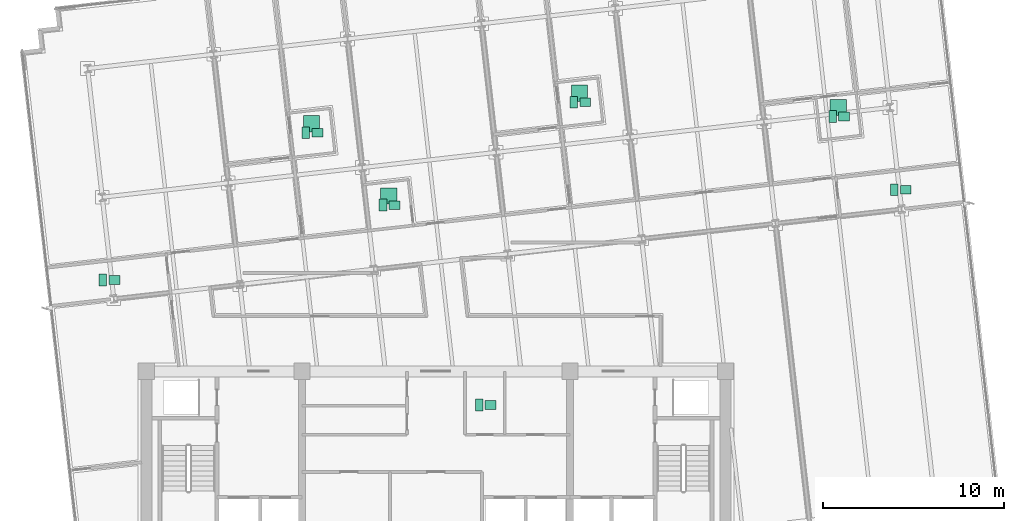
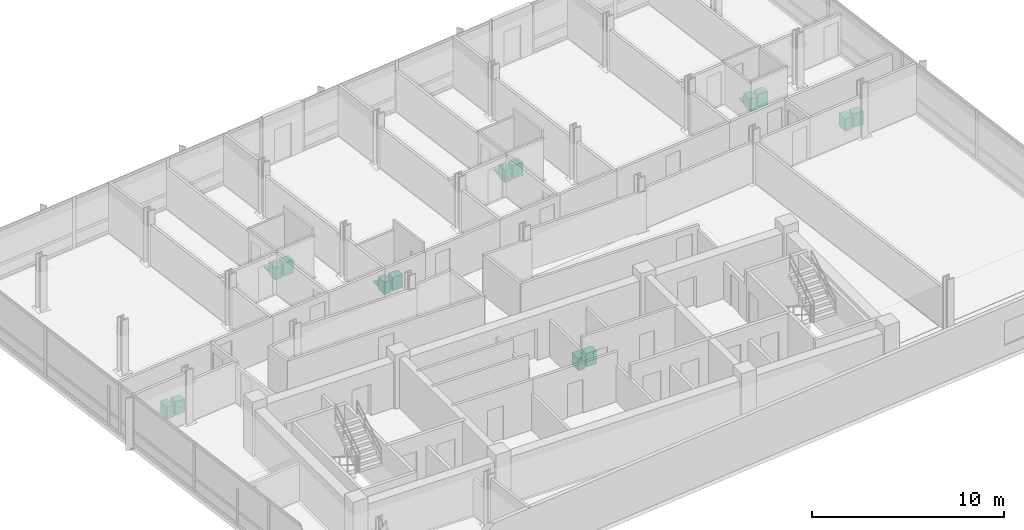
# One storey, part 16 of 16: 18 sanitary terminals.
"""IFC4 building model written with IfcOpenShell, lengths in metres."""

import ifcopenshell
import ifcopenshell.guid

model = None  # the IFC model being written
_history = None  # IfcOwnerHistory: only IFC2X3 demands one
_inside = {}  # id of a spatial element -> (the spatial element, [elements in it])
_under = {}  # id of a project, library or spatial element -> (it, [spatial elements below it])
_declared = {}  # id of a project -> (the project, [libraries it declares])
_typed = {}  # id of a type object -> (the type object, [elements of that type])
_made_of = {}  # id of a material, layer set ... -> (it, [elements and type objects made of it])


def new_model(schema):
    """Start an empty IFC model of exactly this schema.

    Asked for "IFC4X3", IfcOpenShell would pick the latest addendum, in which some entities
    have other attributes; the version numbers below select the first issue.
    IFC2X3 requires an IfcOwnerHistory on every rooted entity: one is made here for all.
    """
    global model, _history
    if schema == "IFC4X3":
        model = ifcopenshell.file(schema_version=(4, 3, 0, 0))
    else:
        model = ifcopenshell.file(schema=schema)
    _inside.clear()
    _under.clear()
    _declared.clear()
    _typed.clear()
    _made_of.clear()
    _history = None
    if model.schema == "IFC2X3":
        org = make("IfcOrganization", Name="unknown")
        user = make(
            "IfcPersonAndOrganization",
            ThePerson=make("IfcPerson", FamilyName="unknown"),
            TheOrganization=org,
        )
        app = make(
            "IfcApplication",
            ApplicationDeveloper=org,
            Version="unknown",
            ApplicationFullName="unknown",
            ApplicationIdentifier="unknown",
        )
        _history = make(
            "IfcOwnerHistory",
            OwningUser=user,
            OwningApplication=app,
            ChangeAction="ADDED",
            CreationDate=0,
        )
    return model


def make(cls, **values):
    """One entity of the class cls with the attributes given. An attribute that is None is left unset."""
    return model.create_entity(
        cls, **{name: value for name, value in values.items() if value is not None}
    )


def rooted(cls, **values):
    """An entity with a GlobalId (a new one), such as an element, a storey or a relation."""
    return make(cls, GlobalId=ifcopenshell.guid.new(), OwnerHistory=_history, **values)


def si_unit(unit_type, name, prefix=None):
    """IfcSIUnit, for example si_unit("LENGTHUNIT", "METRE", prefix="MILLI")."""
    return make("IfcSIUnit", UnitType=unit_type, Prefix=prefix, Name=name)


def assignment(units):
    """IfcUnitAssignment: the units of a project."""
    return None if units is None else make("IfcUnitAssignment", Units=units)


def point(xyz):
    """IfcCartesianPoint."""
    return None if xyz is None else make("IfcCartesianPoint", Coordinates=xyz)


def direction(xyz):
    """IfcDirection."""
    return None if xyz is None else make("IfcDirection", DirectionRatios=xyz)


def frame(location, z_axis=None, x_axis=None):
    """IfcAxis2Placement3D, a coordinate frame: its origin and axes. An axis left out is left unset."""
    return make(
        "IfcAxis2Placement3D",
        Location=point(location),
        Axis=direction(z_axis),
        RefDirection=direction(x_axis),
    )


def frame_2d(location, x_axis=None):
    """IfcAxis2Placement2D, a coordinate frame in the plane: its origin and x axis."""
    return make(
        "IfcAxis2Placement2D", Location=point(location), RefDirection=direction(x_axis)
    )


def origin():
    """The frame at (0, 0, 0) with its axes left unset."""
    return frame((0.0, 0.0, 0.0))


def origin_2d():
    """The frame at (0, 0) in the plane with its x axis left unset."""
    return frame_2d((0.0, 0.0))


def place(relative_to, where):
    """IfcLocalPlacement: puts the frame where relative to a parent placement (None: the world)."""
    return make(
        "IfcLocalPlacement", PlacementRelTo=relative_to, RelativePlacement=where
    )


def context(
    kind, dimensions, precision=None, world=None, true_north=None, identifier=None
):
    """IfcGeometricRepresentationContext, for example the 3D "Model" context."""
    return make(
        "IfcGeometricRepresentationContext",
        ContextIdentifier=identifier,
        ContextType=kind,
        CoordinateSpaceDimension=dimensions,
        Precision=precision,
        WorldCoordinateSystem=world,
        TrueNorth=true_north,
    )


def subcontext(parent, identifier, kind, view, scale=None):
    """IfcGeometricRepresentationSubContext, for example "Body" below "Model"."""
    return make(
        "IfcGeometricRepresentationSubContext",
        ContextIdentifier=identifier,
        ContextType=kind,
        ParentContext=parent,
        TargetScale=scale,
        TargetView=view,
    )


def project(units=None, contexts=None):
    """IfcProject with its units and contexts."""
    return rooted(
        "IfcProject",
        Name="project",
        RepresentationContexts=contexts,
        UnitsInContext=assignment(units),
    )


def spatial(cls, under=None, at=None, **own):
    """A site, building, storey or space (cls), placed at a placement, below another one or the project."""
    s = rooted(cls, ObjectPlacement=at, **own)
    if under is not None:
        _under.setdefault(under.id(), (under, []))[1].append(s)
    return s


def profile(cls, at=None, kind="AREA", **sizes):
    """A parametric profile (cls). Its sizes go by their IFC names, for example OverallWidth=200.0."""
    return make(cls, ProfileType=kind, Position=at, **sizes)


def rectangle(**sizes):
    """IfcRectangleProfileDef."""
    return profile("IfcRectangleProfileDef", **sizes)


def extrude(swept, where, along, depth):
    """IfcExtrudedAreaSolid: the profile swept, set in the frame where, extruded along a direction by depth."""
    return make(
        "IfcExtrudedAreaSolid",
        SweptArea=swept,
        Position=where,
        ExtrudedDirection=direction(along),
        Depth=depth,
    )


def shape(context_of_items, identifier, shape_type, items):
    """IfcShapeRepresentation: the items that make up one representation, for example the "Body"."""
    return make(
        "IfcShapeRepresentation",
        ContextOfItems=context_of_items,
        RepresentationIdentifier=identifier,
        RepresentationType=shape_type,
        Items=items,
    )


def material(Name=None, Category=None):
    """IfcMaterial."""
    return make("IfcMaterial", Name=Name, Category=Category)


def made_of(thing, what):
    """Note that an element or type object is made of a material, layer set ...; save() writes the relation."""
    if what is not None:
        _made_of.setdefault(what.id(), (what, []))[1].append(thing)
    return thing


def type_object(cls, material=None, **own):
    """A type object (cls), such as IfcWallType, which elements share."""
    return made_of(rooted(cls, **own), material)


def element(
    cls,
    number,
    at=None,
    inside=None,
    cuts=None,
    type_object=None,
    material=None,
    context=None,
    identifier="Body",
    shape_type=None,
    held_by="IfcProductDefinitionShape",
    body=None,
    shapes=None,
    **own,
):
    """One element of the class cls, such as IfcWall. Its Tag is "e" and its number.

    at: its placement. inside: the storey or other place that contains it. cuts: it is an
    opening in that element (IfcRelVoidsElement). A single representation is given by context,
    identifier, shape_type and body (its items); several are given by shapes. held_by: the class
    of the entity that holds the representations. save() writes the other relations.
    """
    e = rooted(cls, Tag="e%d" % number, ObjectPlacement=at, **own)
    if body is not None:
        shapes = [shape(context, identifier, shape_type, body)]
    if shapes is not None:
        e.Representation = make(held_by, Representations=shapes)
    if inside is not None:
        _inside.setdefault(inside.id(), (inside, []))[1].append(e)
    if cuts is not None:
        rooted(
            "IfcRelVoidsElement", RelatingBuildingElement=cuts, RelatedOpeningElement=e
        )
    if type_object is not None:
        _typed.setdefault(type_object.id(), (type_object, []))[1].append(e)
    return made_of(e, material)


def aggregate(whole, parts):
    """IfcRelAggregates: a whole, such as a stair, and the parts it consists of."""
    return rooted("IfcRelAggregates", RelatingObject=whole, RelatedObjects=parts)


def save(model, path):
    """Write the relations noted so far, then the file.

    IfcRelAggregates (storeys below a building ...), IfcRelContainedInSpatialStructure (elements
    in a storey), IfcRelDefinesByType, IfcRelAssociatesMaterial and IfcRelDeclares: one each for
    every whole, place, type object, material and project.
    """
    for whole, parts in _under.values():
        aggregate(whole, parts)
    for where, things in _inside.values():
        rooted(
            "IfcRelContainedInSpatialStructure",
            RelatedElements=things,
            RelatingStructure=where,
        )
    for kind, things in _typed.values():
        rooted("IfcRelDefinesByType", RelatedObjects=things, RelatingType=kind)
    for what, things in _made_of.values():
        rooted("IfcRelAssociatesMaterial", RelatedObjects=things, RelatingMaterial=what)
    for by, libraries in _declared.values():
        rooted("IfcRelDeclares", RelatingContext=by, RelatedDefinitions=libraries)
    model.write(path)


model = new_model("IFC4")

# Units and contexts
model_context = context("Model", 3, precision=1e-05, world=origin(), true_north=direction((0.0, 1.0)))
body_context = subcontext(model_context, "Body", "Model", "MODEL_VIEW")
ifc_project = project(units=[si_unit("LENGTHUNIT", "METRE"), si_unit("AREAUNIT", "SQUARE_METRE"), si_unit("VOLUMEUNIT", "CUBIC_METRE"), si_unit("PLANEANGLEUNIT", "RADIAN"), si_unit("MASSUNIT", "GRAM", prefix="KILO")], contexts=[model_context])

# Site, building, storey
site_placement = place(None, origin())
site = spatial("IfcSite", under=ifc_project, at=site_placement, CompositionType="ELEMENT")
building_placement = place(site_placement, origin())
building = spatial("IfcBuilding", under=site, at=building_placement, Name="Solmavex Isthmus Hotel", CompositionType="ELEMENT")
storey_placement = place(building_placement, frame((0.0, 0.0, 208.949951171875)))
storey = spatial("IfcBuildingStorey", under=building, at=storey_placement, Name="L56", CompositionType="ELEMENT", Elevation=208.949951171875)

# Sanitary terminals
ifc_material = material(Name="Vitreous china ceramic", Category="ceramic")
sanitary_terminal_type_1 = type_object("IfcSanitaryTerminalType", Name="SAN-BASIN", PredefinedType="WASHHANDBASIN", material=ifc_material)
for number, where, z_axis, x_axis, name in (
    (1, (3.02001953125, -4.360107421875, 0.0), (0.0, 0.0, 1.0), (1.0, 0.0, 0.0), "Vanity Washbasin L56-271"),
    (2, (-6.552001953125, 10.676025390625, 0.0), (0.0, 0.0, 1.0), (1.0, 0.0, 0.0), "Vanity Washbasin L56-272"),
    (3, (-2.28662109375, 6.685302734375, 0.0), (0.0, 0.0, 1.0), (1.0, 0.0, 0.0), "Vanity Washbasin L56-273"),
    (4, (8.244140625, 12.36181640625, 0.0), (0.0, 0.0, 1.0), (1.0, 0.0, 0.0), "Vanity Washbasin L56-274"),
    (5, (22.551513671875, 11.576416015625, 0.0), (0.0, 0.0, 1.0), (1.0, 0.0, 0.0), "Vanity Washbasin L56-275"),
    (6, (-17.761474609375, 2.546875, 0.0), (0.0, 0.0, 1.0), (1.0, 0.0, 0.0), "Vanity Washbasin L56-276"),
    (7, (25.956787109375, 7.52783203125, 0.0), (0.0, 0.0, 1.0), (1.0, 0.0, 0.0), "Vanity Washbasin L56-277"),
):
    element("IfcSanitaryTerminal", number, at=place(storey_placement, frame(where, z_axis=z_axis, x_axis=x_axis)), inside=storey, type_object=sanitary_terminal_type_1, Name=name, PredefinedType="WASHHANDBASIN", context=body_context, shape_type="SweptSolid", body=[
        extrude(rectangle(XDim=0.60009765625, YDim=0.47998046875, at=origin_2d()), origin(), (0.0, 0.0, 1.0), 0.85009765625),
    ])
sanitary_terminal_type_2 = type_object("IfcSanitaryTerminalType", Name="SAN-SHOWER", PredefinedType="SHOWER", material=ifc_material)
for number, where, z_axis, x_axis, name in (
    (8, (-6.8720703125, 11.176025390625, 0.0), (0.0, 0.0, 1.0), (1.0, 0.0, 0.0), "Walk-In Shower L56-272"),
    (9, (-2.6064453125, 7.185302734375, 0.0), (0.0, 0.0, 1.0), (1.0, 0.0, 0.0), "Walk-In Shower L56-273"),
    (10, (7.924072265625, 12.86181640625, 0.0), (0.0, 0.0, 1.0), (1.0, 0.0, 0.0), "Walk-In Shower L56-274"),
    (11, (22.2314453125, 12.076416015625, 0.0), (0.0, 0.0, 1.0), (1.0, 0.0, 0.0), "Walk-In Shower L56-275"),
):
    element("IfcSanitaryTerminal", number, at=place(storey_placement, frame(where, z_axis=z_axis, x_axis=x_axis)), inside=storey, type_object=sanitary_terminal_type_2, Name=name, PredefinedType="SHOWER", context=body_context, shape_type="SweptSolid", body=[
        extrude(rectangle(XDim=0.89990234375, YDim=0.89990234375, at=origin_2d()), origin(), (0.0, 0.0, 1.0), 0.080078125),
    ])
sanitary_terminal_type_3 = type_object("IfcSanitaryTerminalType", Name="SAN-WC-SUITE", PredefinedType="TOILETPAN", material=ifc_material)
for number, where, z_axis, x_axis, name in (
    (12, (2.3798828125, -4.360107421875, 0.0), (0.0, 0.0, 1.0), (1.0, 0.0, 0.0), "Water Closet L56-271"),
    (13, (-7.192138671875, 10.676025390625, 0.0), (0.0, 0.0, 1.0), (1.0, 0.0, 0.0), "Water Closet L56-272"),
    (14, (-2.926513671875, 6.685302734375, 0.0), (0.0, 0.0, 1.0), (1.0, 0.0, 0.0), "Water Closet L56-273"),
    (15, (7.60400390625, 12.36181640625, 0.0), (0.0, 0.0, 1.0), (1.0, 0.0, 0.0), "Water Closet L56-274"),
    (16, (21.91162109375, 11.576416015625, 0.0), (0.0, 0.0, 1.0), (1.0, 0.0, 0.0), "Water Closet L56-275"),
    (17, (-18.401611328125, 2.546875, 0.0), (0.0, 0.0, 1.0), (1.0, 0.0, 0.0), "Water Closet L56-276"),
    (18, (25.316650390625, 7.52783203125, 0.0), (0.0, 0.0, 1.0), (1.0, 0.0, 0.0), "Water Closet L56-277"),
):
    element("IfcSanitaryTerminal", number, at=place(storey_placement, frame(where, z_axis=z_axis, x_axis=x_axis)), inside=storey, type_object=sanitary_terminal_type_3, Name=name, PredefinedType="TOILETPAN", context=body_context, shape_type="SweptSolid", body=[
        extrude(rectangle(XDim=0.419921875, YDim=0.64990234375, at=origin_2d()), origin(), (0.0, 0.0, 1.0), 0.780029296875),
    ])

save(model, "model.ifc")
